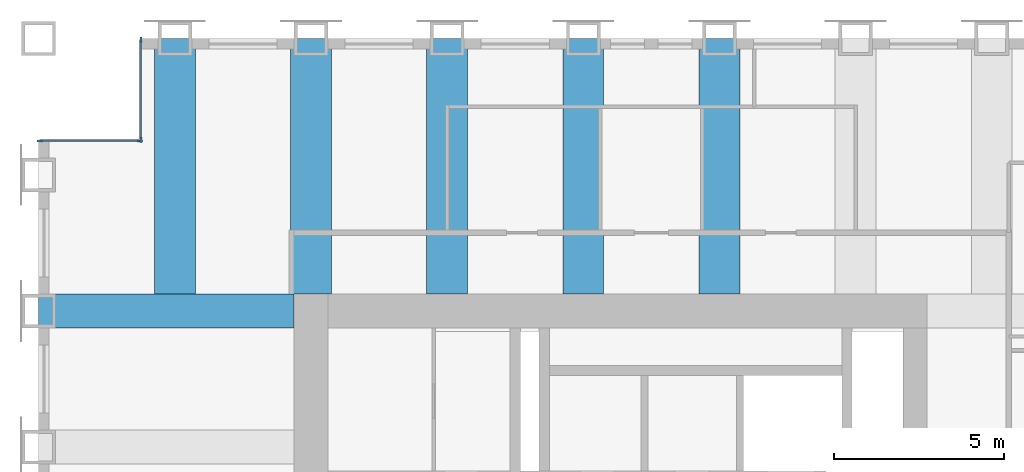
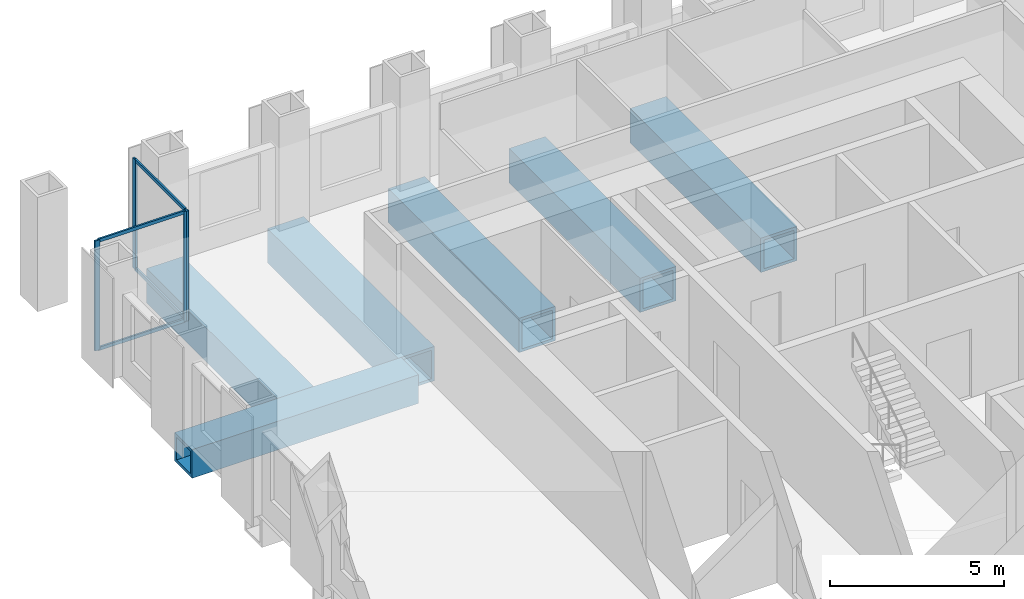
# One storey, part 5 of 11: 8 members, 6 beams, 2 elements without a shape of their own.
"""IFC4 building model written with IfcOpenShell, lengths in metres."""

from ifc_helpers import new_model, si_unit, direction, frame, origin, origin_2d, place, context, subcontext, project, spatial, rectangle, hollow_rectangle, extrude, material, material_profile, profile_set, type_object, element, aggregate, save


model = new_model("IFC4")

# Units and contexts
model_context = context("Model", 3, precision=1e-05, world=origin(), true_north=direction((0.0, 1.0)))
body_context = subcontext(model_context, "Body", "Model", "MODEL_VIEW")
ifc_project = project(units=[si_unit("LENGTHUNIT", "METRE"), si_unit("AREAUNIT", "SQUARE_METRE"), si_unit("VOLUMEUNIT", "CUBIC_METRE"), si_unit("PLANEANGLEUNIT", "RADIAN"), si_unit("MASSUNIT", "GRAM", prefix="KILO")], contexts=[model_context])

# Site, building, storey
site_placement = place(None, origin())
site = spatial("IfcSite", under=ifc_project, at=site_placement, CompositionType="ELEMENT")
building_placement = place(site_placement, origin())
building = spatial("IfcBuilding", under=site, at=building_placement, Name="Rimbunsela Tower", CompositionType="ELEMENT")
storey_placement = place(building_placement, frame((0.0, 0.0, 242.199951171875)))
storey = spatial("IfcBuildingStorey", under=building, at=storey_placement, Name="L58", CompositionType="ELEMENT", Elevation=242.199951171875)

# Beams
ifc_material_1 = material(Name="Steel BJ 55 (fy 410 MPa)", Category="steel")
ifc_material_profile_1 = material_profile(ifc_material_1, hollow_rectangle(XDim=1.0, YDim=1.0, WallThickness=0.10009765625, at=origin_2d()), Name="BOX 1000x1000x100")
ifc_profile_set_1 = profile_set([ifc_material_profile_1], Name="Steel BJ 55 (fy 410 MPa)")
beam_type_1 = type_object("IfcBeamType", Name="Beam BOX 1000x1000x100", PredefinedType="BEAM", material=ifc_profile_set_1)
beam_placement = place(storey_placement, frame((10.0, 36.0, -0.64990234375), z_axis=(1.0, 0.0, 0.0), x_axis=(0.0, 1.0, 0.0)))
element("IfcBeam", 1, at=beam_placement, inside=storey, type_object=beam_type_1, Name="Beam B3 L58", PredefinedType="BEAM", context=body_context, shape_type="SweptSolid", body=[
    extrude(hollow_rectangle(XDim=1.0, YDim=1.0, WallThickness=0.10009765625, at=origin_2d()), origin(), (0.0, 0.0, 1.0), 7.5),
])
ifc_material_2 = material(Name="Steel BJ 55 (fy 410 MPa)", Category="steel")
ifc_material_profile_2 = material_profile(ifc_material_2, hollow_rectangle(XDim=1.199951171875, YDim=1.199951171875, WallThickness=0.10009765625, at=origin_2d()), Name="BOX 1200x1200x100")
ifc_profile_set_2 = profile_set([ifc_material_profile_2], Name="Steel BJ 55 (fy 410 MPa)")
beam_type_2 = type_object("IfcBeamType", Name="Beam BOX 1200x1200x100", PredefinedType="BEAM", material=ifc_profile_set_2)
for number, where, z_axis, x_axis, name in (
    (2, (14.0, 36.5, -0.75), (0.0, 1.0, 0.0), (-1.0, 0.0, 0.0), "Beam B5 L58"),
    (3, (18.0, 36.5, -0.75), (0.0, 1.0, 0.0), (-1.0, 0.0, 0.0), "Beam B5 L58"),
    (4, (22.0, 36.5, -0.75), (0.0, 1.0, 0.0), (-1.0, 0.0, 0.0), "Beam B5 L58"),
    (5, (26.0, 36.5, -0.75), (0.0, 1.0, 0.0), (-1.0, 0.0, 0.0), "Beam B5 L58"),
    (6, (30.0, 36.5, -0.75), (0.0, 1.0, 0.0), (-1.0, 0.0, 0.0), "Beam B5 L58"),
):
    element("IfcBeam", number, at=place(storey_placement, frame(where, z_axis=z_axis, x_axis=x_axis)), inside=storey, type_object=beam_type_2, Name=name, PredefinedType="BEAM", context=body_context, shape_type="SweptSolid", body=[
        extrude(hollow_rectangle(XDim=1.199951171875, YDim=1.199951171875, WallThickness=0.10009765625, at=origin_2d()), origin(), (0.0, 0.0, 1.0), 7.5),
    ])

# Curtain wall, members
ifc_material_3 = material(Name="Aluminium curtain wall", Category="aluminium")
curtain_wall_type = type_object("IfcCurtainWallType", Name="Corner glazing", PredefinedType="USERDEFINED", material=ifc_material_3)
curtain_wall_1_placement = place(storey_placement, origin())
curtain_wall_1 = element("IfcCurtainWall", 7, at=curtain_wall_1_placement, inside=storey, type_object=curtain_wall_type, Name="Corner glazing L58", ObjectType="CORNER GLAZING", PredefinedType="USERDEFINED")
ifc_material_4 = material(Name="Aluminium mullion", Category="aluminium")
ifc_material_profile_3 = material_profile(ifc_material_4, rectangle(XDim=0.06005859375, YDim=0.159912109375, at=origin_2d()), Name="Mullion 60x160")
ifc_profile_set_3 = profile_set([ifc_material_profile_3], Name="Aluminium mullion")
member_type_1 = type_object("IfcMemberType", Name="Curtain wall mullion 60x160", PredefinedType="MULLION", material=ifc_profile_set_3)
member_1_placement = place(storey_placement, frame((13.0, 43.969970703125, 0.0), z_axis=(0.0, 0.0, 1.0), x_axis=(1.0, 0.0, 0.0)))
member_1 = element("IfcMember", 8, at=member_1_placement, type_object=member_type_1, Name="CW5 mullion 1", PredefinedType="MULLION", context=body_context, shape_type="SweptSolid", body=[
    extrude(rectangle(XDim=0.06005859375, YDim=0.159912109375, at=origin_2d()), origin(), (0.0, 0.0, 1.0), 3.85009765625),
])
member_2_placement = place(storey_placement, frame((13.0, 41.030029296875, 0.0), z_axis=(0.0, 0.0, 1.0), x_axis=(1.0, 0.0, 0.0)))
member_2 = element("IfcMember", 9, at=member_2_placement, type_object=member_type_1, Name="CW5 mullion 2", PredefinedType="MULLION", context=body_context, shape_type="SweptSolid", body=[
    extrude(rectangle(XDim=0.06005859375, YDim=0.159912109375, at=origin_2d()), origin(), (0.0, 0.0, 1.0), 3.85009765625),
])

curtain_wall_2_placement = place(storey_placement, origin())
curtain_wall_2 = element("IfcCurtainWall", 10, at=curtain_wall_2_placement, inside=storey, type_object=curtain_wall_type, Name="Corner glazing L58", ObjectType="CORNER GLAZING", PredefinedType="USERDEFINED")
member_3_placement = place(storey_placement, frame((12.969970703125, 41.0, 0.0), z_axis=(0.0, 0.0, 1.0), x_axis=(0.0, -1.0, 0.0)))
member_3 = element("IfcMember", 11, at=member_3_placement, type_object=member_type_1, Name="CW5 mullion 1", PredefinedType="MULLION", context=body_context, shape_type="SweptSolid", body=[
    extrude(rectangle(XDim=0.06005859375, YDim=0.159912109375, at=origin_2d()), origin(), (0.0, 0.0, 1.0), 3.85009765625),
])
member_4_placement = place(storey_placement, frame((10.030029296875, 41.0, 0.0), z_axis=(0.0, 0.0, 1.0), x_axis=(0.0, -1.0, 0.0)))
member_4 = element("IfcMember", 12, at=member_4_placement, type_object=member_type_1, Name="CW5 mullion 2", PredefinedType="MULLION", context=body_context, shape_type="SweptSolid", body=[
    extrude(rectangle(XDim=0.06005859375, YDim=0.159912109375, at=origin_2d()), origin(), (0.0, 0.0, 1.0), 3.85009765625),
])

# Member
ifc_material_5 = material(Name="Aluminium transom", Category="aluminium")
ifc_material_profile_4 = material_profile(ifc_material_5, rectangle(XDim=0.06005859375, YDim=0.1201171875, at=origin_2d()), Name="Transom 60x120")
ifc_profile_set_4 = profile_set([ifc_material_profile_4], Name="Aluminium transom")
member_type_2 = type_object("IfcMemberType", Name="Curtain wall transom 60x120", PredefinedType="USERDEFINED", material=ifc_profile_set_4)
member_5_placement = place(storey_placement, frame((13.0, 43.93994140625, 0.030029296875), z_axis=(0.0, -1.0, 0.0), x_axis=(1.0, 0.0, 0.0)))
member_5 = element("IfcMember", 13, at=member_5_placement, type_object=member_type_2, Name="CW5 transom 1.1", ObjectType="TRANSOM", PredefinedType="USERDEFINED", context=body_context, shape_type="SweptSolid", body=[
    extrude(rectangle(XDim=0.06005859375, YDim=0.1201171875, at=origin_2d()), origin(), (0.0, 0.0, 1.0), 2.8798828125),
])

member_6_placement = place(storey_placement, frame((13.0, 43.93994140625, 3.820068359375), z_axis=(0.0, -1.0, 0.0), x_axis=(1.0, 0.0, 0.0)))
member_6 = element("IfcMember", 14, at=member_6_placement, type_object=member_type_2, Name="CW5 transom 1.2", ObjectType="TRANSOM", PredefinedType="USERDEFINED", context=body_context, shape_type="SweptSolid", body=[
    extrude(rectangle(XDim=0.06005859375, YDim=0.1201171875, at=origin_2d()), origin(), (0.0, 0.0, 1.0), 2.8798828125),
])

aggregate(curtain_wall_1, [member_1, member_2, member_5, member_6])

member_7_placement = place(storey_placement, frame((12.93994140625, 41.0, 0.030029296875), z_axis=(-1.0, 0.0, 0.0), x_axis=(0.0, -1.0, 0.0)))
member_7 = element("IfcMember", 15, at=member_7_placement, type_object=member_type_2, Name="CW5 transom 1.1", ObjectType="TRANSOM", PredefinedType="USERDEFINED", context=body_context, shape_type="SweptSolid", body=[
    extrude(rectangle(XDim=0.06005859375, YDim=0.1201171875, at=origin_2d()), origin(), (0.0, 0.0, 1.0), 2.8798828125),
])

member_8_placement = place(storey_placement, frame((12.93994140625, 41.0, 3.820068359375), z_axis=(-1.0, 0.0, 0.0), x_axis=(0.0, -1.0, 0.0)))
member_8 = element("IfcMember", 16, at=member_8_placement, type_object=member_type_2, Name="CW5 transom 1.2", ObjectType="TRANSOM", PredefinedType="USERDEFINED", context=body_context, shape_type="SweptSolid", body=[
    extrude(rectangle(XDim=0.06005859375, YDim=0.1201171875, at=origin_2d()), origin(), (0.0, 0.0, 1.0), 2.8798828125),
])

aggregate(curtain_wall_2, [member_3, member_4, member_7, member_8])

save(model, "model.ifc")
